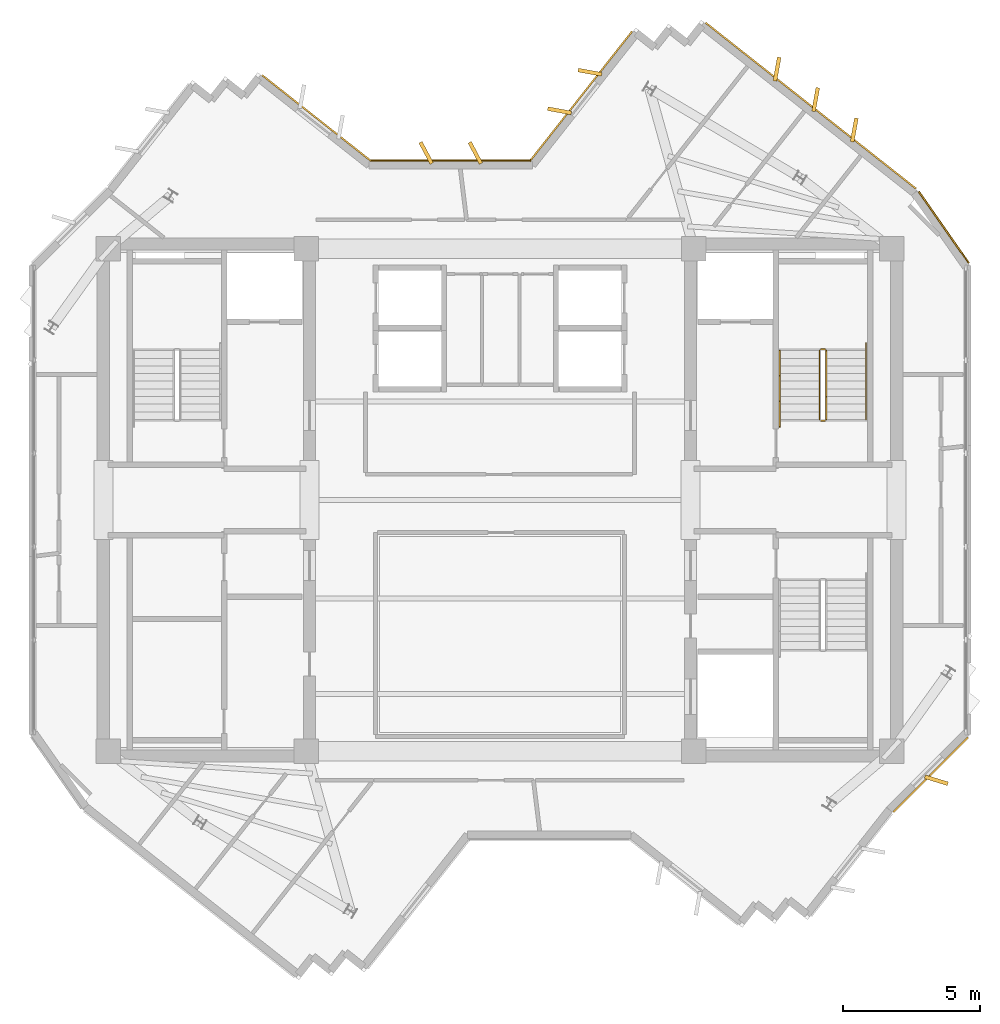
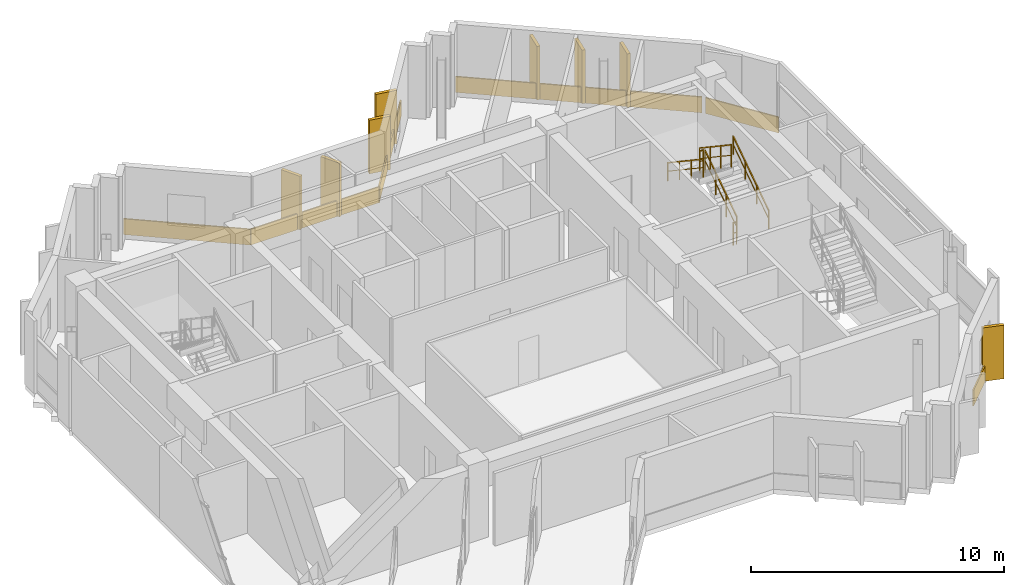
# One storey, part 10 of 10: 14 coverings, 6 railings.
"""IFC4 building model written with IfcOpenShell, lengths in metres."""

import ifcopenshell
import ifcopenshell.guid

model = None  # the IFC model being written
_history = None  # IfcOwnerHistory: only IFC2X3 demands one
_inside = {}  # id of a spatial element -> (the spatial element, [elements in it])
_under = {}  # id of a project, library or spatial element -> (it, [spatial elements below it])
_declared = {}  # id of a project -> (the project, [libraries it declares])
_typed = {}  # id of a type object -> (the type object, [elements of that type])
_made_of = {}  # id of a material, layer set ... -> (it, [elements and type objects made of it])


def new_model(schema):
    """Start an empty IFC model of exactly this schema.

    Asked for "IFC4X3", IfcOpenShell would pick the latest addendum, in which some entities
    have other attributes; the version numbers below select the first issue.
    IFC2X3 requires an IfcOwnerHistory on every rooted entity: one is made here for all.
    """
    global model, _history
    if schema == "IFC4X3":
        model = ifcopenshell.file(schema_version=(4, 3, 0, 0))
    else:
        model = ifcopenshell.file(schema=schema)
    _inside.clear()
    _under.clear()
    _declared.clear()
    _typed.clear()
    _made_of.clear()
    _history = None
    if model.schema == "IFC2X3":
        org = make("IfcOrganization", Name="unknown")
        user = make(
            "IfcPersonAndOrganization",
            ThePerson=make("IfcPerson", FamilyName="unknown"),
            TheOrganization=org,
        )
        app = make(
            "IfcApplication",
            ApplicationDeveloper=org,
            Version="unknown",
            ApplicationFullName="unknown",
            ApplicationIdentifier="unknown",
        )
        _history = make(
            "IfcOwnerHistory",
            OwningUser=user,
            OwningApplication=app,
            ChangeAction="ADDED",
            CreationDate=0,
        )
    return model


def make(cls, **values):
    """One entity of the class cls with the attributes given. An attribute that is None is left unset."""
    return model.create_entity(
        cls, **{name: value for name, value in values.items() if value is not None}
    )


def rooted(cls, **values):
    """An entity with a GlobalId (a new one), such as an element, a storey or a relation."""
    return make(cls, GlobalId=ifcopenshell.guid.new(), OwnerHistory=_history, **values)


def si_unit(unit_type, name, prefix=None):
    """IfcSIUnit, for example si_unit("LENGTHUNIT", "METRE", prefix="MILLI")."""
    return make("IfcSIUnit", UnitType=unit_type, Prefix=prefix, Name=name)


def assignment(units):
    """IfcUnitAssignment: the units of a project."""
    return None if units is None else make("IfcUnitAssignment", Units=units)


def point(xyz):
    """IfcCartesianPoint."""
    return None if xyz is None else make("IfcCartesianPoint", Coordinates=xyz)


def direction(xyz):
    """IfcDirection."""
    return None if xyz is None else make("IfcDirection", DirectionRatios=xyz)


def frame(location, z_axis=None, x_axis=None):
    """IfcAxis2Placement3D, a coordinate frame: its origin and axes. An axis left out is left unset."""
    return make(
        "IfcAxis2Placement3D",
        Location=point(location),
        Axis=direction(z_axis),
        RefDirection=direction(x_axis),
    )


def frame_2d(location, x_axis=None):
    """IfcAxis2Placement2D, a coordinate frame in the plane: its origin and x axis."""
    return make(
        "IfcAxis2Placement2D", Location=point(location), RefDirection=direction(x_axis)
    )


def origin():
    """The frame at (0, 0, 0) with its axes left unset."""
    return frame((0.0, 0.0, 0.0))


def origin_2d():
    """The frame at (0, 0) in the plane with its x axis left unset."""
    return frame_2d((0.0, 0.0))


def place(relative_to, where):
    """IfcLocalPlacement: puts the frame where relative to a parent placement (None: the world)."""
    return make(
        "IfcLocalPlacement", PlacementRelTo=relative_to, RelativePlacement=where
    )


def context(
    kind, dimensions, precision=None, world=None, true_north=None, identifier=None
):
    """IfcGeometricRepresentationContext, for example the 3D "Model" context."""
    return make(
        "IfcGeometricRepresentationContext",
        ContextIdentifier=identifier,
        ContextType=kind,
        CoordinateSpaceDimension=dimensions,
        Precision=precision,
        WorldCoordinateSystem=world,
        TrueNorth=true_north,
    )


def subcontext(parent, identifier, kind, view, scale=None):
    """IfcGeometricRepresentationSubContext, for example "Body" below "Model"."""
    return make(
        "IfcGeometricRepresentationSubContext",
        ContextIdentifier=identifier,
        ContextType=kind,
        ParentContext=parent,
        TargetScale=scale,
        TargetView=view,
    )


def project(units=None, contexts=None):
    """IfcProject with its units and contexts."""
    return rooted(
        "IfcProject",
        Name="project",
        RepresentationContexts=contexts,
        UnitsInContext=assignment(units),
    )


def spatial(cls, under=None, at=None, **own):
    """A site, building, storey or space (cls), placed at a placement, below another one or the project."""
    s = rooted(cls, ObjectPlacement=at, **own)
    if under is not None:
        _under.setdefault(under.id(), (under, []))[1].append(s)
    return s


def profile(cls, at=None, kind="AREA", **sizes):
    """A parametric profile (cls). Its sizes go by their IFC names, for example OverallWidth=200.0."""
    return make(cls, ProfileType=kind, Position=at, **sizes)


def rectangle(**sizes):
    """IfcRectangleProfileDef."""
    return profile("IfcRectangleProfileDef", **sizes)


def extrude(swept, where, along, depth):
    """IfcExtrudedAreaSolid: the profile swept, set in the frame where, extruded along a direction by depth."""
    return make(
        "IfcExtrudedAreaSolid",
        SweptArea=swept,
        Position=where,
        ExtrudedDirection=direction(along),
        Depth=depth,
    )


def shape(context_of_items, identifier, shape_type, items):
    """IfcShapeRepresentation: the items that make up one representation, for example the "Body"."""
    return make(
        "IfcShapeRepresentation",
        ContextOfItems=context_of_items,
        RepresentationIdentifier=identifier,
        RepresentationType=shape_type,
        Items=items,
    )


def source(mapping_origin, context_of_items, identifier, shape_type, items):
    """IfcRepresentationMap: a shape defined once, which mapped items show again and again."""
    return make(
        "IfcRepresentationMap",
        MappingOrigin=mapping_origin,
        MappedRepresentation=shape(context_of_items, identifier, shape_type, items),
    )


def transform(
    local_origin,
    x_axis=None,
    y_axis=None,
    z_axis=None,
    scale=None,
    scale2=None,
    scale3=None,
    uniform=True,
):
    """IfcCartesianTransformationOperator3D, or its non-uniform kind. x_axis, y_axis, z_axis: its Axis1, 2, 3."""
    if uniform:
        return make(
            "IfcCartesianTransformationOperator3D",
            Axis1=direction(x_axis),
            Axis2=direction(y_axis),
            LocalOrigin=point(local_origin),
            Scale=scale,
            Axis3=direction(z_axis),
        )
    return make(
        "IfcCartesianTransformationOperator3DnonUniform",
        Axis1=direction(x_axis),
        Axis2=direction(y_axis),
        LocalOrigin=point(local_origin),
        Scale=scale,
        Axis3=direction(z_axis),
        Scale2=scale2,
        Scale3=scale3,
    )


def mapped(mapping_source, mapping_target):
    """IfcMappedItem: shows the shape of a source again, moved by a transform."""
    return make(
        "IfcMappedItem", MappingSource=mapping_source, MappingTarget=mapping_target
    )


def material(Name=None, Category=None):
    """IfcMaterial."""
    return make("IfcMaterial", Name=Name, Category=Category)


def layer(
    of_material, thickness, ventilated=None, Name=None, Category=None, Priority=None
):
    """IfcMaterialLayer: one layer of a wall or slab, of a material (None: an air gap)."""
    return make(
        "IfcMaterialLayer",
        Material=of_material,
        LayerThickness=thickness,
        IsVentilated=ventilated,
        Name=Name,
        Category=Category,
        Priority=Priority,
    )


def layer_set(layers, Name=None):
    """IfcMaterialLayerSet."""
    return make("IfcMaterialLayerSet", MaterialLayers=layers, LayerSetName=Name)


def made_of(thing, what):
    """Note that an element or type object is made of a material, layer set ...; save() writes the relation."""
    if what is not None:
        _made_of.setdefault(what.id(), (what, []))[1].append(thing)
    return thing


def type_object(cls, material=None, **own):
    """A type object (cls), such as IfcWallType, which elements share."""
    return made_of(rooted(cls, **own), material)


def element(
    cls,
    number,
    at=None,
    inside=None,
    cuts=None,
    type_object=None,
    material=None,
    context=None,
    identifier="Body",
    shape_type=None,
    held_by="IfcProductDefinitionShape",
    body=None,
    shapes=None,
    **own,
):
    """One element of the class cls, such as IfcWall. Its Tag is "e" and its number.

    at: its placement. inside: the storey or other place that contains it. cuts: it is an
    opening in that element (IfcRelVoidsElement). A single representation is given by context,
    identifier, shape_type and body (its items); several are given by shapes. held_by: the class
    of the entity that holds the representations. save() writes the other relations.
    """
    e = rooted(cls, Tag="e%d" % number, ObjectPlacement=at, **own)
    if body is not None:
        shapes = [shape(context, identifier, shape_type, body)]
    if shapes is not None:
        e.Representation = make(held_by, Representations=shapes)
    if inside is not None:
        _inside.setdefault(inside.id(), (inside, []))[1].append(e)
    if cuts is not None:
        rooted(
            "IfcRelVoidsElement", RelatingBuildingElement=cuts, RelatedOpeningElement=e
        )
    if type_object is not None:
        _typed.setdefault(type_object.id(), (type_object, []))[1].append(e)
    return made_of(e, material)


def aggregate(whole, parts):
    """IfcRelAggregates: a whole, such as a stair, and the parts it consists of."""
    return rooted("IfcRelAggregates", RelatingObject=whole, RelatedObjects=parts)


def save(model, path):
    """Write the relations noted so far, then the file.

    IfcRelAggregates (storeys below a building ...), IfcRelContainedInSpatialStructure (elements
    in a storey), IfcRelDefinesByType, IfcRelAssociatesMaterial and IfcRelDeclares: one each for
    every whole, place, type object, material and project.
    """
    for whole, parts in _under.values():
        aggregate(whole, parts)
    for where, things in _inside.values():
        rooted(
            "IfcRelContainedInSpatialStructure",
            RelatedElements=things,
            RelatingStructure=where,
        )
    for kind, things in _typed.values():
        rooted("IfcRelDefinesByType", RelatedObjects=things, RelatingType=kind)
    for what, things in _made_of.values():
        rooted("IfcRelAssociatesMaterial", RelatedObjects=things, RelatingMaterial=what)
    for by, libraries in _declared.values():
        rooted("IfcRelDeclares", RelatingContext=by, RelatedDefinitions=libraries)
    model.write(path)


model = new_model("IFC4")

# Units and contexts
model_context = context("Model", 3, precision=1e-05, world=origin(), true_north=direction((0.0, 1.0)))
body_context = subcontext(model_context, "Body", "Model", "MODEL_VIEW")
ifc_project = project(units=[si_unit("LENGTHUNIT", "METRE"), si_unit("AREAUNIT", "SQUARE_METRE"), si_unit("VOLUMEUNIT", "CUBIC_METRE"), si_unit("PLANEANGLEUNIT", "RADIAN"), si_unit("MASSUNIT", "GRAM", prefix="KILO")], contexts=[model_context])

# Site, building, storey
site_placement = place(None, origin())
site = spatial("IfcSite", under=ifc_project, at=site_placement, CompositionType="ELEMENT")
building_placement = place(site_placement, origin())
building = spatial("IfcBuilding", under=site, at=building_placement, Name="Zahravan Cultural Tower", CompositionType="ELEMENT")
storey_placement = place(building_placement, frame((0.0, 0.0, 327.300048828125)))
storey = spatial("IfcBuildingStorey", under=building, at=storey_placement, Name="L79", CompositionType="ELEMENT", Elevation=327.300048828125)

# Railings
ifc_material_1 = material(Name="Steel ASTM A572 Grade 50", Category="steel")
railing_type_1 = type_object("IfcRailingType", Name="RL-STAIR-GRD1150", PredefinedType="BALUSTRADE", material=ifc_material_1)
railing_1_placement = place(storey_placement, frame((47.949951171875, 29.949951171875, 0.1875)))
element("IfcRailing", 1, at=railing_1_placement, inside=storey, type_object=railing_type_1, Name="L79 ST-E1 stair guard 1", PredefinedType="BALUSTRADE", context=body_context, shape_type="SweptSolid", body=[
    extrude(rectangle(XDim=0.05, YDim=0.05, at=origin_2d()), frame((0.0, 0.0, 1.0751953125), z_axis=(0.0, 0.830909170722, 0.55640807867), x_axis=(-1.0, 0.0, 0.0)), (0.0, 0.0, 1.0), 3.032958984375),
    extrude(rectangle(XDim=0.032, YDim=0.032, at=origin_2d()), frame((0.0, 0.0, 0.572021484375), z_axis=(0.0, 0.830909170722, 0.55640807867), x_axis=(-1.0, 0.0, 0.0)), (0.0, 0.0, 1.0), 3.032958984375),
    extrude(rectangle(XDim=0.04, YDim=0.04, at=origin_2d()), origin(), (0.0, 0.0, 1.0), 1.10009765625),
    extrude(rectangle(XDim=0.04, YDim=0.04, at=origin_2d()), frame((0.0, 0.840087890625, 0.5625)), (0.0, 0.0, 1.0), 1.10009765625),
    extrude(rectangle(XDim=0.04, YDim=0.04, at=origin_2d()), frame((0.0, 1.679931640625, 1.125)), (0.0, 0.0, 1.0), 1.10009765625),
    extrude(rectangle(XDim=0.04, YDim=0.04, at=origin_2d()), frame((0.0, 2.52001953125, 1.6875)), (0.0, 0.0, 1.0), 1.10009765625),
])
railing_2_placement = place(storey_placement, frame((47.89990234375, 32.52001953125, 1.875)))
element("IfcRailing", 2, at=railing_2_placement, inside=storey, type_object=railing_type_1, Name="L79 ST-E1 stair guard 2", PredefinedType="BALUSTRADE", context=body_context, shape_type="SweptSolid", body=[
    extrude(rectangle(XDim=0.05, YDim=0.05, at=origin_2d()), frame((0.0, 0.0, 1.0751953125), z_axis=(-1.0, 0.0, 0.0), x_axis=(0.0, -1.0, 0.0)), (0.0, 0.0, 1.0), 0.14990234375),
    extrude(rectangle(XDim=0.032, YDim=0.032, at=origin_2d()), frame((0.0, 0.0, 0.572021484375), z_axis=(-1.0, 0.0, 0.0), x_axis=(0.0, -1.0, 0.0)), (0.0, 0.0, 1.0), 0.14990234375),
    extrude(rectangle(XDim=0.04, YDim=0.04, at=origin_2d()), origin(), (0.0, 0.0, 1.0), 1.10009765625),
    extrude(rectangle(XDim=0.04, YDim=0.04, at=origin_2d()), frame((-0.14990234375, 0.0, 0.0)), (0.0, 0.0, 1.0), 1.10009765625),
])
railing_3_placement = place(storey_placement, frame((47.699951171875, 32.469970703125, 2.0625)))
element("IfcRailing", 3, at=railing_3_placement, inside=storey, type_object=railing_type_1, Name="L79 ST-E1 stair guard 3", PredefinedType="BALUSTRADE", context=body_context, shape_type="SweptSolid", body=[
    extrude(rectangle(XDim=0.05, YDim=0.05, at=origin_2d()), frame((0.0, 0.0, 1.0751953125), z_axis=(0.0, -0.830909170722, 0.55640807867), x_axis=(1.0, 0.0, 0.0)), (0.0, 0.0, 1.0), 3.032958984375),
    extrude(rectangle(XDim=0.032, YDim=0.032, at=origin_2d()), frame((0.0, 0.0, 0.572021484375), z_axis=(0.0, -0.830909170722, 0.55640807867), x_axis=(1.0, 0.0, 0.0)), (0.0, 0.0, 1.0), 3.032958984375),
    extrude(rectangle(XDim=0.04, YDim=0.04, at=origin_2d()), origin(), (0.0, 0.0, 1.0), 1.10009765625),
    extrude(rectangle(XDim=0.04, YDim=0.04, at=origin_2d()), frame((0.0, -0.840087890625, 0.5625)), (0.0, 0.0, 1.0), 1.10009765625),
    extrude(rectangle(XDim=0.04, YDim=0.04, at=origin_2d()), frame((0.0, -1.679931640625, 1.125)), (0.0, 0.0, 1.0), 1.10009765625),
    extrude(rectangle(XDim=0.04, YDim=0.04, at=origin_2d()), frame((0.0, -2.52001953125, 1.6875)), (0.0, 0.0, 1.0), 1.10009765625),
])
railing_4_placement = place(storey_placement, frame((47.89990234375, 29.89990234375, 0.0)))
element("IfcRailing", 4, at=railing_4_placement, inside=storey, type_object=railing_type_1, Name="L79 ST-E1 stair guard 4", PredefinedType="BALUSTRADE", context=body_context, shape_type="SweptSolid", body=[
    extrude(rectangle(XDim=0.05, YDim=0.05, at=origin_2d()), frame((0.0, 0.0, 1.0751953125), z_axis=(-1.0, 0.0, 0.0), x_axis=(0.0, -1.0, 0.0)), (0.0, 0.0, 1.0), 0.14990234375),
    extrude(rectangle(XDim=0.032, YDim=0.032, at=origin_2d()), frame((0.0, 0.0, 0.572021484375), z_axis=(-1.0, 0.0, 0.0), x_axis=(0.0, -1.0, 0.0)), (0.0, 0.0, 1.0), 0.14990234375),
    extrude(rectangle(XDim=0.04, YDim=0.04, at=origin_2d()), origin(), (0.0, 0.0, 1.0), 1.10009765625),
    extrude(rectangle(XDim=0.04, YDim=0.04, at=origin_2d()), frame((-0.14990234375, 0.0, 0.0)), (0.0, 0.0, 1.0), 1.10009765625),
])
railing_type_2 = type_object("IfcRailingType", Name="RL-STAIR-HR900", PredefinedType="HANDRAIL", material=ifc_material_1)
railing_5_placement = place(storey_placement, frame((49.39990234375, 29.949951171875, 0.1875)))
element("IfcRailing", 5, at=railing_5_placement, inside=storey, type_object=railing_type_2, Name="L79 ST-E1 stair handrail 1", PredefinedType="HANDRAIL", context=body_context, shape_type="SweptSolid", body=[
    extrude(rectangle(XDim=0.05, YDim=0.05, at=origin_2d()), frame((0.0, 0.0, 0.875), z_axis=(0.0, 0.830911662861, 0.55640435703), x_axis=(-1.0, 0.0, 0.0)), (0.0, 0.0, 1.0), 3.369873046875),
    extrude(rectangle(XDim=0.032, YDim=0.032, at=origin_2d()), frame((0.0, 0.0, 0.468017578125), z_axis=(0.0, 0.830911662861, 0.55640435703), x_axis=(-1.0, 0.0, 0.0)), (0.0, 0.0, 1.0), 3.369873046875),
    extrude(rectangle(XDim=0.04, YDim=0.04, at=origin_2d()), origin(), (0.0, 0.0, 1.0), 0.89990234375),
    extrude(rectangle(XDim=0.04, YDim=0.04, at=origin_2d()), frame((0.0, 0.933349609375, 0.625)), (0.0, 0.0, 1.0), 0.89990234375),
    extrude(rectangle(XDim=0.04, YDim=0.04, at=origin_2d()), frame((0.0, 1.86669921875, 1.25)), (0.0, 0.0, 1.0), 0.89990234375),
    extrude(rectangle(XDim=0.04, YDim=0.04, at=origin_2d()), frame((0.0, 2.800048828125, 1.875)), (0.0, 0.0, 1.0), 0.89990234375),
])
railing_6_placement = place(storey_placement, frame((46.25, 32.469970703125, 2.0625)))
element("IfcRailing", 6, at=railing_6_placement, inside=storey, type_object=railing_type_2, Name="L79 ST-E1 stair handrail 2", PredefinedType="HANDRAIL", context=body_context, shape_type="SweptSolid", body=[
    extrude(rectangle(XDim=0.05, YDim=0.05, at=origin_2d()), frame((0.0, 0.0, 0.875), z_axis=(0.0, -0.830911662861, 0.55640435703), x_axis=(1.0, 0.0, 0.0)), (0.0, 0.0, 1.0), 3.369873046875),
    extrude(rectangle(XDim=0.032, YDim=0.032, at=origin_2d()), frame((0.0, 0.0, 0.468017578125), z_axis=(0.0, -0.830911662861, 0.55640435703), x_axis=(1.0, 0.0, 0.0)), (0.0, 0.0, 1.0), 3.369873046875),
    extrude(rectangle(XDim=0.04, YDim=0.04, at=origin_2d()), origin(), (0.0, 0.0, 1.0), 0.89990234375),
    extrude(rectangle(XDim=0.04, YDim=0.04, at=origin_2d()), frame((0.0, -0.933349609375, 0.625)), (0.0, 0.0, 1.0), 0.89990234375),
    extrude(rectangle(XDim=0.04, YDim=0.04, at=origin_2d()), frame((0.0, -1.86669921875, 1.25)), (0.0, 0.0, 1.0), 0.89990234375),
    extrude(rectangle(XDim=0.04, YDim=0.04, at=origin_2d()), frame((0.0, -2.800048828125, 1.875)), (0.0, 0.0, 1.0), 0.89990234375),
])

# Coverings
ifc_material_2 = material(Name="Terracotta ceramic cladding", Category="masonry")
ifc_layer = layer(ifc_material_2, 0.06005859375)
ifc_layer_set = layer_set([ifc_layer], Name="Terracotta ceramic cladding")
covering_type = type_object("IfcCoveringType", Name="COV-CLAD-TC60", PredefinedType="CLADDING", material=ifc_layer_set)
shared_shape_1 = source(origin(), body_context, "Body", "SweptSolid", [
    extrude(rectangle(XDim=9.820068359375, YDim=0.06005859375, at=origin_2d()), origin(), (0.0, 0.0, 1.0), 0.760009765625),
])
covering_1_placement = place(storey_placement, frame((47.382080078125, 41.43798828125, 0.02001953125), z_axis=(0.0, 0.0, 1.0), x_axis=(0.785316930881, -0.61909394931, 0.0)))
element("IfcCovering", 7, at=covering_1_placement, inside=storey, type_object=covering_type, Name="L79 Terracotta Spandrel Cladding 14", PredefinedType="CLADDING", context=body_context, shape_type="MappedRepresentation", body=[
    mapped(shared_shape_1, transform((0.0, 0.0, 0.0), x_axis=(1.0, 0.0, 0.0), y_axis=(0.0, 1.0, 0.0), z_axis=(0.0, 0.0, 1.0), scale=1.0)),
])
shared_shape_2 = source(origin(), body_context, "Body", "SweptSolid", [
    extrude(rectangle(XDim=0.8798828125, YDim=0.139892578125, at=origin_2d()), origin(), (0.0, 0.0, 1.0), 2.580078125),
])
for number, where, z_axis, x_axis, name in (
    (8, (33.295166015625, 39.7099609375, 0.0498046875), (0.0, 0.0, 1.0), (-0.469471562786, 0.882947592859, 0.0), "L79 Herringbone Terracotta Fin 06"),
    (9, (35.09521484375, 39.7099609375, 0.0498046875), (0.0, 0.0, 1.0), (-0.469471562786, 0.882947592859, 0.0), "L79 Herringbone Terracotta Fin 07"),
    (10, (38.180419921875, 41.25, 0.0498046875), (0.0, 0.0, 1.0), (-0.984040697646, 0.177943545474, 0.0), "L79 Herringbone Terracotta Fin 08"),
    (11, (39.294677734375, 42.663818359375, 0.0498046875), (0.0, 0.0, 1.0), (-0.984040697646, 0.177943545474, 0.0), "L79 Herringbone Terracotta Fin 09"),
    (12, (46.14501953125, 42.776123046875, 0.0498046875), (0.0, 0.0, 1.0), (0.177943545474, 0.984040697646, 0.0), "L79 Herringbone Terracotta Fin 10"),
    (13, (47.55859375, 41.661865234375, 0.0498046875), (0.0, 0.0, 1.0), (0.177943545474, 0.984040697646, 0.0), "L79 Herringbone Terracotta Fin 11"),
    (14, (48.97216796875, 40.547607421875, 0.0498046875), (0.0, 0.0, 1.0), (0.177943545474, 0.984040697646, 0.0), "L79 Herringbone Terracotta Fin 12"),
    (15, (51.976806640625, 16.738525390625, 0.0498046875), (0.0, 0.0, 1.0), (0.956304755963, -0.292371704723, 0.0), "L79 Herringbone Terracotta Fin 13"),
):
    element("IfcCovering", number, at=place(storey_placement, frame(where, z_axis=z_axis, x_axis=x_axis)), inside=storey, type_object=covering_type, Name=name, PredefinedType="CLADDING", context=body_context, shape_type="MappedRepresentation", body=[
        mapped(shared_shape_2, transform((0.0, 0.0, 0.0), x_axis=(1.0, 0.0, 0.0), y_axis=(0.0, 1.0, 0.0), z_axis=(0.0, 0.0, 1.0), scale=1.0)),
    ])
shared_shape_3 = source(origin(), body_context, "Body", "SweptSolid", [
    extrude(rectangle(XDim=3.86328125, YDim=0.06005859375, at=origin_2d()), origin(), (0.0, 0.0, 1.0), 0.760009765625),
])
covering_2_placement = place(storey_placement, frame((51.775390625, 16.940185546875, 0.02001953125), z_axis=(0.0, 0.0, 1.0), x_axis=(-0.707106781187, -0.707106781187, 0.0)))
element("IfcCovering", 16, at=covering_2_placement, inside=storey, type_object=covering_type, Name="L79 Terracotta Spandrel Cladding 16", PredefinedType="CLADDING", context=body_context, shape_type="MappedRepresentation", body=[
    mapped(shared_shape_3, transform((0.0, 0.0, 0.0), x_axis=(1.0, 0.0, 0.0), y_axis=(0.0, 1.0, 0.0), z_axis=(0.0, 0.0, 1.0), scale=1.0)),
])
shared_shape_4 = source(origin(), body_context, "Body", "SweptSolid", [
    extrude(rectangle(XDim=5.065185546875, YDim=0.06005859375, at=origin_2d()), origin(), (0.0, 0.0, 1.0), 0.760009765625),
])
covering_3_placement = place(storey_placement, frame((29.280029296875, 40.98828125, 0.02001953125), z_axis=(0.0, 0.0, 1.0), x_axis=(0.785316930881, -0.61909394931, 0.0)))
element("IfcCovering", 17, at=covering_3_placement, inside=storey, type_object=covering_type, Name="L79 Terracotta Spandrel Cladding 07", PredefinedType="CLADDING", context=body_context, shape_type="MappedRepresentation", body=[
    mapped(shared_shape_4, transform((0.0, 0.0, 0.0), x_axis=(1.0, 0.0, 0.0), y_axis=(0.0, 1.0, 0.0), z_axis=(0.0, 0.0, 1.0), scale=1.0)),
])
shared_shape_5 = source(origin(), body_context, "Body", "SweptSolid", [
    extrude(rectangle(XDim=5.87841796875, YDim=0.06005859375, at=origin_2d()), origin(), (0.0, 0.0, 1.0), 0.760009765625),
])
covering_4_placement = place(storey_placement, frame((34.1953125, 39.425048828125, 0.02001953125), z_axis=(0.0, 0.0, 1.0), x_axis=(1.0, 0.0, 0.0)))
element("IfcCovering", 18, at=covering_4_placement, inside=storey, type_object=covering_type, Name="L79 Terracotta Spandrel Cladding 08", PredefinedType="CLADDING", context=body_context, shape_type="MappedRepresentation", body=[
    mapped(shared_shape_5, transform((0.0, 0.0, 0.0), x_axis=(1.0, 0.0, 0.0), y_axis=(0.0, 1.0, 0.0), z_axis=(0.0, 0.0, 1.0), scale=1.0)),
])
shared_shape_6 = source(origin(), body_context, "Body", "SweptSolid", [
    extrude(rectangle(XDim=6.058837890625, YDim=0.06005859375, at=origin_2d()), origin(), (0.0, 0.0, 1.0), 0.760009765625),
])
covering_5_placement = place(storey_placement, frame((38.961181640625, 41.780517578125, 0.02001953125), z_axis=(0.0, 0.0, 1.0), x_axis=(0.61909394931, 0.785316930881, 0.0)))
element("IfcCovering", 19, at=covering_5_placement, inside=storey, type_object=covering_type, Name="L79 Terracotta Spandrel Cladding 09", PredefinedType="CLADDING", context=body_context, shape_type="MappedRepresentation", body=[
    mapped(shared_shape_6, transform((0.0, 0.0, 0.0), x_axis=(1.0, 0.0, 0.0), y_axis=(0.0, 1.0, 0.0), z_axis=(0.0, 0.0, 1.0), scale=1.0)),
])
shared_shape_7 = source(origin(), body_context, "Body", "SweptSolid", [
    extrude(rectangle(XDim=3.189208984375, YDim=0.06005859375, at=origin_2d()), origin(), (0.0, 0.0, 1.0), 0.760009765625),
])
covering_6_placement = place(storey_placement, frame((52.252685546875, 36.984375, 0.02001953125), z_axis=(0.0, 0.0, 1.0), x_axis=(0.573033028033, -0.8195322744, 0.0)))
element("IfcCovering", 20, at=covering_6_placement, inside=storey, type_object=covering_type, Name="L79 Terracotta Spandrel Cladding 15", PredefinedType="CLADDING", context=body_context, shape_type="MappedRepresentation", body=[
    mapped(shared_shape_7, transform((0.0, 0.0, 0.0), x_axis=(1.0, 0.0, 0.0), y_axis=(0.0, 1.0, 0.0), z_axis=(0.0, 0.0, 1.0), scale=1.0)),
])

save(model, "model.ifc")
